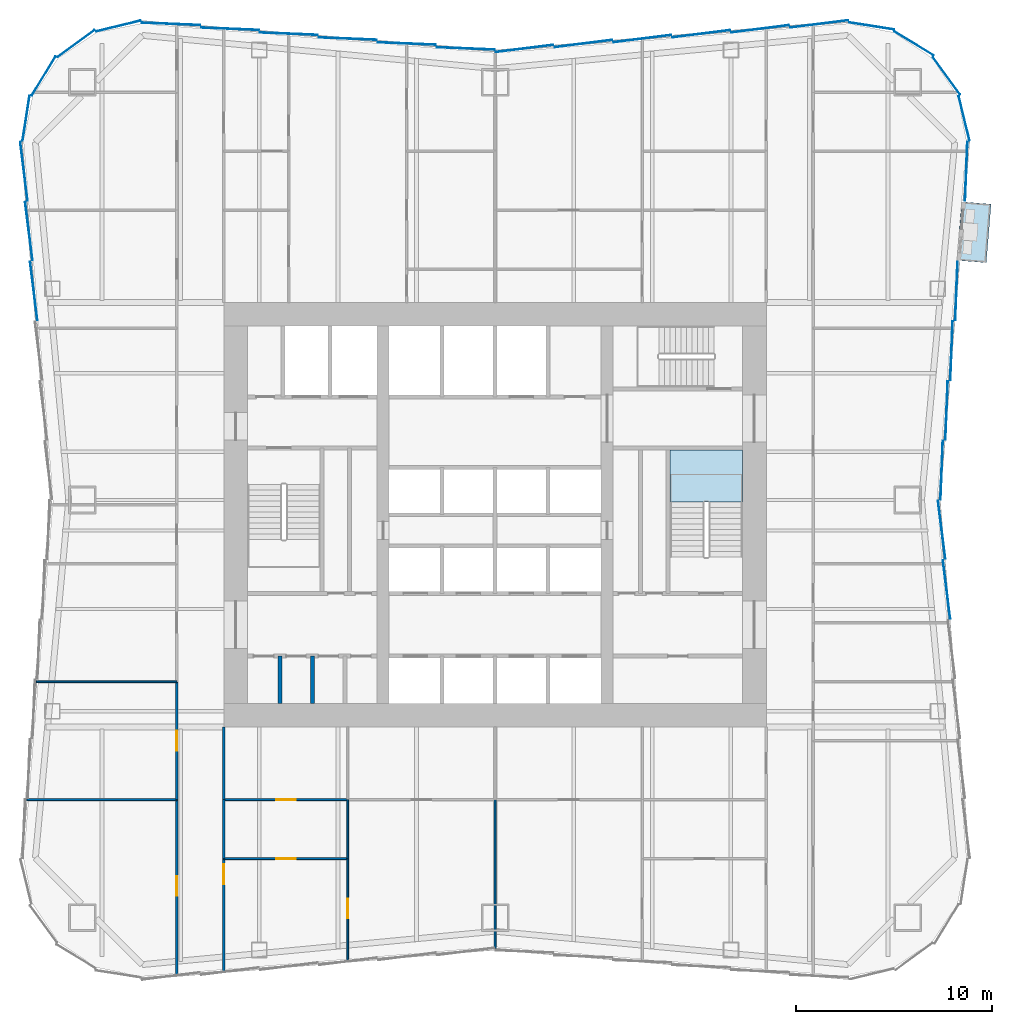
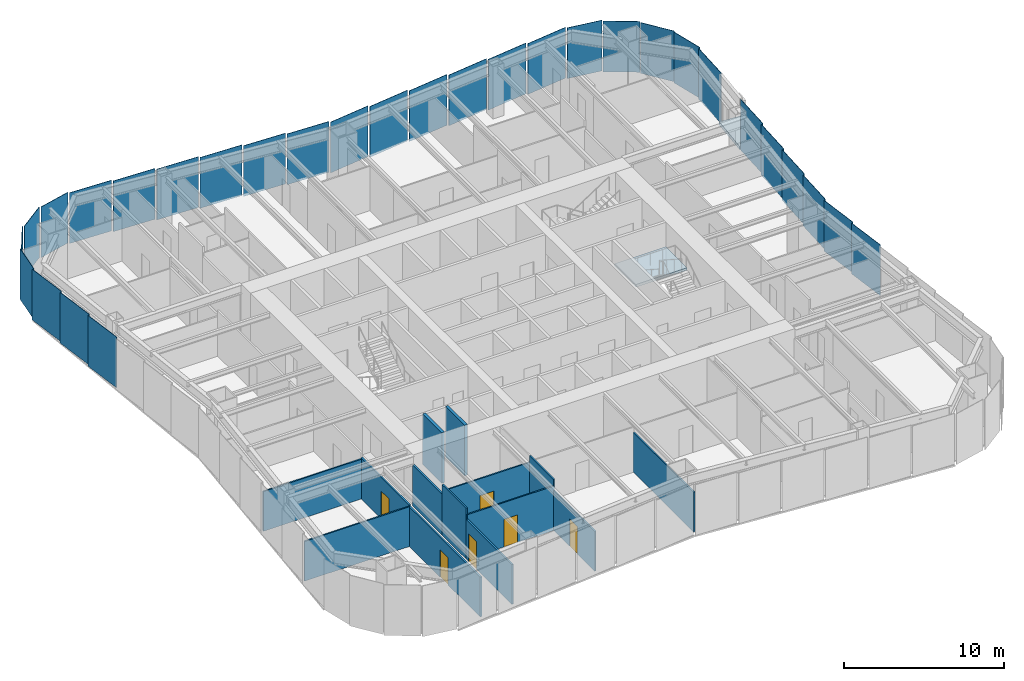
# One storey, part 3 of 9: 30 plates, 14 walls, 6 doors, 2 slabs, 6 openings, 6 elements without a shape of their own.
"""IFC4 building model written with IfcOpenShell, lengths in metres."""

from ifc_helpers import new_model, si_unit, direction, frame, frame_2d, origin, origin_2d, place, context, subcontext, project, spatial, polyline, rectangle, outline, extrude, material, layer, layer_set, type_object, element, fill, aggregate, save


model = new_model("IFC4")

# Units and contexts
model_context = context("Model", 3, precision=1e-05, world=origin(), true_north=direction((0.0, 1.0)))
body_context = subcontext(model_context, "Body", "Model", "MODEL_VIEW")
ifc_project = project(units=[si_unit("LENGTHUNIT", "METRE"), si_unit("AREAUNIT", "SQUARE_METRE"), si_unit("VOLUMEUNIT", "CUBIC_METRE"), si_unit("PLANEANGLEUNIT", "RADIAN"), si_unit("MASSUNIT", "GRAM", prefix="KILO")], contexts=[model_context])

# Site, building, storey
site_placement = place(None, origin())
site = spatial("IfcSite", under=ifc_project, at=site_placement, CompositionType="ELEMENT")
building_placement = place(site_placement, origin())
building = spatial("IfcBuilding", under=site, at=building_placement, Name="Verdant Reach Tower", CompositionType="ELEMENT")
storey_placement = place(building_placement, frame((0.0, 0.0, 74.0)))
storey = spatial("IfcBuildingStorey", under=building, at=storey_placement, Name="L16", CompositionType="ELEMENT", Elevation=74.0)

# Stair, slab
ifc_material_1 = material(Name="Concrete C40/50", Category="concrete")
stair_type = type_object("IfcStairType", Name="CO-STAIR", PredefinedType="HALF_TURN_STAIR", material=ifc_material_1)
stair_placement = place(storey_placement, origin())
stair = element("IfcStair", 1, at=stair_placement, inside=storey, type_object=stair_type, Name="L16 Exit stair 2", PredefinedType="HALF_TURN_STAIR")
ifc_layer_1 = layer(ifc_material_1, 0.199951171875)
ifc_layer_set_1 = layer_set([ifc_layer_1], Name="CO-STAIR-LANDING")
slab_type_1 = type_object("IfcSlabType", Name="CO-STAIR-LANDING", PredefinedType="LANDING", material=ifc_layer_set_1)
slab_1_placement = place(storey_placement, frame((0.0, 0.0, 1.800048828125)))
slab_1 = element("IfcSlab", 2, at=slab_1_placement, type_object=slab_type_1, Name="ST-2 landing 1", PredefinedType="LANDING", context=body_context, shape_type="SweptSolid", body=[
    extrude(outline(polyline([(12.60009765625, 28.64990234375), (12.60009765625, 31.300048828125), (8.89990234375, 31.300048828125), (8.89990234375, 28.64990234375), (12.60009765625, 28.64990234375)])), origin(), (0.0, 0.0, 1.0), 0.199951171875),
])
aggregate(stair, [slab_1])

# Slab
ifc_material_2 = material(Name="Concrete C35/45", Category="concrete")
ifc_layer_2 = layer(ifc_material_2, 0.25)
ifc_layer_set_2 = layer_set([ifc_layer_2], Name="EN-BALCONY SLAB")
slab_type_2 = type_object("IfcSlabType", Name="EN-BALCONY SLAB", PredefinedType="FLOOR", material=ifc_layer_set_2)
slab_2_placement = place(storey_placement, frame((0.0, 0.0, -0.25)))
element("IfcSlab", 3, at=slab_2_placement, inside=storey, type_object=slab_type_2, Name="Balcony slab 1, L16", PredefinedType="FLOOR", context=body_context, shape_type="SweptSolid", body=[
    extrude(outline(polyline([(23.50244140625, 40.947509765625), (23.74755859375, 43.927490234375), (25.242431640625, 43.804443359375), (24.99755859375, 40.82470703125), (23.50244140625, 40.947509765625)])), origin(), (0.0, 0.0, 1.0), 0.25),
])

# Curtain wall, plates
ifc_material_3 = material(Name="Anodised aluminium", Category="aluminium")
curtain_wall_type = type_object("IfcCurtainWallType", Name="EN-CW SYSTEM Z1", PredefinedType="NOTDEFINED", material=ifc_material_3)
curtain_wall_1_placement = place(storey_placement, origin())
curtain_wall_1 = element("IfcCurtainWall", 4, at=curtain_wall_1_placement, inside=storey, type_object=curtain_wall_type, Name="Curtain wall east, L16", PredefinedType="NOTDEFINED")
ifc_material_4 = material(Name="Tinted glass with champagne spandrel", Category="glass")
ifc_layer_3 = layer(ifc_material_4, 0.031982421875)
ifc_layer_set_3 = layer_set([ifc_layer_3], Name="EN-PANEL CHAMPAGNE")
plate_type_1 = type_object("IfcPlateType", Name="EN-PANEL CHAMPAGNE", PredefinedType="CURTAIN_PANEL", material=ifc_layer_set_3)
plate_1_placement = place(storey_placement, frame((22.727783203125, 27.2333984375, -0.22802734375), z_axis=(0.0, 0.0, 1.0), x_axis=(-0.123691487663, 0.992320722287, 0.0)))
plate_1 = element("IfcPlate", 5, at=plate_1_placement, type_object=plate_type_1, Name="Glass panel east face part 1 6.1, L16", PredefinedType="CURTAIN_PANEL", context=body_context, shape_type="SweptSolid", body=[
    extrude(rectangle(XDim=2.985595703125, YDim=0.031982421875, at=origin_2d()), origin(), (0.0, 0.0, 1.0), 3.8779296875),
])
plate_2_placement = place(storey_placement, frame((22.727783203125, 30.2666015625, -0.22802734375), z_axis=(0.0, 0.0, 1.0), x_axis=(0.040222426271, 0.99919075077, 0.0)))
plate_2 = element("IfcPlate", 6, at=plate_2_placement, type_object=plate_type_1, Name="Glass panel east face part 2 1.1, L16", PredefinedType="CURTAIN_PANEL", context=body_context, shape_type="SweptSolid", body=[
    extrude(rectangle(XDim=2.985595703125, YDim=0.031982421875, at=origin_2d()), origin(), (0.0, 0.0, 1.0), 3.8779296875),
])

curtain_wall_2_placement = place(storey_placement, origin())
curtain_wall_2 = element("IfcCurtainWall", 7, at=curtain_wall_2_placement, inside=storey, type_object=curtain_wall_type, Name="Curtain wall north, L16", PredefinedType="NOTDEFINED")
plate_3_placement = place(storey_placement, frame((7.491455078125, 52.2275390625, -0.22802734375), z_axis=(0.0, 0.0, 1.0), x_axis=(-0.992194034542, -0.124703639961, 0.0)))
plate_3 = element("IfcPlate", 8, at=plate_3_placement, type_object=plate_type_1, Name="Glass panel north face part 1 4.1, L16", PredefinedType="CURTAIN_PANEL", context=body_context, shape_type="SweptSolid", body=[
    extrude(rectangle(XDim=2.952392578125, YDim=0.031982421875, at=origin_2d()), origin(), (0.0, 0.0, 1.0), 3.8779296875),
])
plate_4_placement = place(storey_placement, frame((4.491455078125, 51.9775390625, -0.22802734375), z_axis=(0.0, 0.0, 1.0), x_axis=(-0.992194034542, -0.124703639961, 0.0)))
plate_4 = element("IfcPlate", 9, at=plate_4_placement, type_object=plate_type_1, Name="Glass panel north face part 1 5.1, L16", PredefinedType="CURTAIN_PANEL", context=body_context, shape_type="SweptSolid", body=[
    extrude(rectangle(XDim=2.952392578125, YDim=0.031982421875, at=origin_2d()), origin(), (0.0, 0.0, 1.0), 3.8779296875),
])
plate_5_placement = place(storey_placement, frame((-13.491455078125, 52.7275390625, -0.22802734375), z_axis=(0.0, 0.0, 1.0), x_axis=(-0.999149202059, 0.041241629766, 0.0)))
plate_5 = element("IfcPlate", 10, at=plate_5_placement, type_object=plate_type_1, Name="Glass panel north face part 2 5.1, L16", PredefinedType="CURTAIN_PANEL", context=body_context, shape_type="SweptSolid", body=[
    extrude(rectangle(XDim=2.952392578125, YDim=0.031982421875, at=origin_2d()), origin(), (0.0, 0.0, 1.0), 3.8779296875),
])
plate_6_placement = place(storey_placement, frame((-16.49853515625, 52.977783203125, -0.22802734375), z_axis=(0.0, 0.0, 1.0), x_axis=(-0.999162836679, 0.040909971885, 0.0)))
plate_6 = element("IfcPlate", 11, at=plate_6_placement, type_object=plate_type_1, Name="Glass panel north face part 2 6.1, L16", PredefinedType="CURTAIN_PANEL", context=body_context, shape_type="SweptSolid", body=[
    extrude(rectangle(XDim=2.966796875, YDim=0.031982421875, at=origin_2d()), origin(), (0.0, 0.0, 1.0), 3.8779296875),
])

# Curtain wall, plate
curtain_wall_3_placement = place(storey_placement, origin())
curtain_wall_3 = element("IfcCurtainWall", 12, at=curtain_wall_3_placement, inside=storey, type_object=curtain_wall_type, Name="Curtain wall north-west corner, L16", PredefinedType="NOTDEFINED")
plate_7_placement = place(storey_placement, frame((-23.87060546875, 48.170654296875, -0.22802734375), z_axis=(0.0, 0.0, 1.0), x_axis=(-0.154247912016, -0.988032176419, 0.0)))
plate_7 = element("IfcPlate", 13, at=plate_7_placement, type_object=plate_type_1, Name="Glass panel north-west corner 4.1, L16", PredefinedType="CURTAIN_PANEL", context=body_context, shape_type="SweptSolid", body=[
    extrude(rectangle(XDim=2.3173828125, YDim=0.031982421875, at=origin_2d()), origin(), (0.0, 0.0, 1.0), 3.8779296875),
])

# Curtain wall, plates
curtain_wall_4_placement = place(storey_placement, origin())
curtain_wall_4 = element("IfcCurtainWall", 14, at=curtain_wall_4_placement, inside=storey, type_object=curtain_wall_type, Name="Curtain wall west, L16", PredefinedType="NOTDEFINED")
plate_8_placement = place(storey_placement, frame((-23.7275390625, 42.428955078125, -0.22802734375), z_axis=(0.0, 0.0, 1.0), x_axis=(0.123578623975, -0.992334784081, 0.0)))
plate_8 = element("IfcPlate", 15, at=plate_8_placement, type_object=plate_type_1, Name="Glass panel west face part 1 2.1, L16", PredefinedType="CURTAIN_PANEL", context=body_context, shape_type="SweptSolid", body=[
    extrude(rectangle(XDim=2.993896484375, YDim=0.031982421875, at=origin_2d()), origin(), (0.0, 0.0, 1.0), 3.8779296875),
])
plate_9_placement = place(storey_placement, frame((-23.4775390625, 39.387451171875, -0.22802734375), z_axis=(0.0, 0.0, 1.0), x_axis=(0.123578623975, -0.992334784081, 0.0)))
plate_9 = element("IfcPlate", 16, at=plate_9_placement, type_object=plate_type_1, Name="Glass panel west face part 1 3.1, L16", PredefinedType="CURTAIN_PANEL", context=body_context, shape_type="SweptSolid", body=[
    extrude(rectangle(XDim=2.993896484375, YDim=0.031982421875, at=origin_2d()), origin(), (0.0, 0.0, 1.0), 3.8779296875),
])

# Plate
ifc_material_5 = material(Name="Tinted glass with copper spandrel", Category="glass")
ifc_layer_4 = layer(ifc_material_5, 0.031982421875)
ifc_layer_set_4 = layer_set([ifc_layer_4], Name="EN-PANEL COPPER")
plate_type_2 = type_object("IfcPlateType", Name="EN-PANEL COPPER", PredefinedType="CURTAIN_PANEL", material=ifc_layer_set_4)
plate_10_placement = place(storey_placement, frame((22.9775390625, 33.303955078125, -0.22802734375), z_axis=(0.0, 0.0, 1.0), x_axis=(0.040108781752, 0.999195319057, 0.0)))
plate_10 = element("IfcPlate", 17, at=plate_10_placement, type_object=plate_type_2, Name="Glass panel east face part 2 2.1, L16", PredefinedType="CURTAIN_PANEL", context=body_context, shape_type="SweptSolid", body=[
    extrude(rectangle(XDim=2.993896484375, YDim=0.031982421875, at=origin_2d()), origin(), (0.0, 0.0, 1.0), 3.8779296875),
])

plate_11_placement = place(storey_placement, frame((23.2275390625, 36.345703125, -0.22802734375), z_axis=(0.0, 0.0, 1.0), x_axis=(0.040108781752, 0.999195319057, 0.0)))
plate_11 = element("IfcPlate", 18, at=plate_11_placement, type_object=plate_type_2, Name="Glass panel east face part 2 3.1, L16", PredefinedType="CURTAIN_PANEL", context=body_context, shape_type="SweptSolid", body=[
    extrude(rectangle(XDim=2.993896484375, YDim=0.031982421875, at=origin_2d()), origin(), (0.0, 0.0, 1.0), 3.8779296875),
])

plate_12_placement = place(storey_placement, frame((23.4775390625, 39.387451171875, -0.22802734375), z_axis=(0.0, 0.0, 1.0), x_axis=(0.040108781752, 0.999195319057, 0.0)))
plate_12 = element("IfcPlate", 19, at=plate_12_placement, type_object=plate_type_2, Name="Glass panel east face part 2 4.1, L16", PredefinedType="CURTAIN_PANEL", context=body_context, shape_type="SweptSolid", body=[
    extrude(rectangle(XDim=2.993896484375, YDim=0.031982421875, at=origin_2d()), origin(), (0.0, 0.0, 1.0), 3.8779296875),
])

# Curtain wall, plates
curtain_wall_5_placement = place(storey_placement, origin())
curtain_wall_5 = element("IfcCurtainWall", 20, at=curtain_wall_5_placement, inside=storey, type_object=curtain_wall_type, Name="Curtain wall north-east corner, L16", PredefinedType="NOTDEFINED")
plate_13_placement = place(storey_placement, frame((23.87060546875, 48.170654296875, -0.22802734375), z_axis=(0.0, 0.0, 1.0), x_axis=(-0.236383344544, 0.971659875894, 0.0)))
plate_13 = element("IfcPlate", 21, at=plate_13_placement, type_object=plate_type_2, Name="Glass panel north-east corner 1.1, L16", PredefinedType="CURTAIN_PANEL", context=body_context, shape_type="SweptSolid", body=[
    extrude(rectangle(XDim=2.3173828125, YDim=0.031982421875, at=origin_2d()), origin(), (0.0, 0.0, 1.0), 3.8779296875),
])
plate_14_placement = place(storey_placement, frame((22.97705078125, 50.325439453125, -0.22802734375), z_axis=(0.0, 0.0, 1.0), x_axis=(-0.589926768145, 0.807456753161, 0.0)))
plate_14 = element("IfcPlate", 22, at=plate_14_placement, type_object=plate_type_2, Name="Glass panel north-east corner 2.1, L16", PredefinedType="CURTAIN_PANEL", context=body_context, shape_type="SweptSolid", body=[
    extrude(rectangle(XDim=2.3232421875, YDim=0.031982421875, at=origin_2d()), origin(), (0.0, 0.0, 1.0), 3.8779296875),
])

# Plate
plate_15_placement = place(storey_placement, frame((1.49560546875, 51.727783203125, -0.22802734375), z_axis=(0.0, 0.0, 1.0), x_axis=(-0.992179247355, -0.124821236644, 0.0)))
plate_15 = element("IfcPlate", 23, at=plate_15_placement, type_object=plate_type_2, Name="Glass panel north face part 1 6.1, L16", PredefinedType="CURTAIN_PANEL", context=body_context, shape_type="SweptSolid", body=[
    extrude(rectangle(XDim=2.94384765625, YDim=0.031982421875, at=origin_2d()), origin(), (0.0, 0.0, 1.0), 3.8779296875),
])

plate_16_placement = place(storey_placement, frame((-1.49560546875, 51.727783203125, -0.22802734375), z_axis=(0.0, 0.0, 1.0), x_axis=(-0.99914430697, 0.041360051381, 0.0)))
plate_16 = element("IfcPlate", 24, at=plate_16_placement, type_object=plate_type_2, Name="Glass panel north face part 2 1.1, L16", PredefinedType="CURTAIN_PANEL", context=body_context, shape_type="SweptSolid", body=[
    extrude(rectangle(XDim=2.94384765625, YDim=0.031982421875, at=origin_2d()), origin(), (0.0, 0.0, 1.0), 3.8779296875),
])

plate_17_placement = place(storey_placement, frame((-4.491455078125, 51.9775390625, -0.22802734375), z_axis=(0.0, 0.0, 1.0), x_axis=(-0.999149202059, 0.041241629766, 0.0)))
plate_17 = element("IfcPlate", 25, at=plate_17_placement, type_object=plate_type_2, Name="Glass panel north face part 2 2.1, L16", PredefinedType="CURTAIN_PANEL", context=body_context, shape_type="SweptSolid", body=[
    extrude(rectangle(XDim=2.952392578125, YDim=0.031982421875, at=origin_2d()), origin(), (0.0, 0.0, 1.0), 3.8779296875),
])

ifc_material_6 = material(Name="Tinted glass with dark bronze spandrel", Category="glass")
ifc_layer_5 = layer(ifc_material_6, 0.031982421875)
ifc_layer_set_5 = layer_set([ifc_layer_5], Name="EN-PANEL DARK")
plate_type_3 = type_object("IfcPlateType", Name="EN-PANEL DARK", PredefinedType="CURTAIN_PANEL", material=ifc_layer_set_5)
plate_18_placement = place(storey_placement, frame((22.9775390625, 24.196044921875, -0.22802734375), z_axis=(0.0, 0.0, 1.0), x_axis=(-0.123578623975, 0.992334784081, 0.0)))
plate_18 = element("IfcPlate", 26, at=plate_18_placement, type_object=plate_type_3, Name="Glass panel east face part 1 5.1, L16", PredefinedType="CURTAIN_PANEL", context=body_context, shape_type="SweptSolid", body=[
    extrude(rectangle(XDim=2.993896484375, YDim=0.031982421875, at=origin_2d()), origin(), (0.0, 0.0, 1.0), 3.8779296875),
])

plate_19_placement = place(storey_placement, frame((23.977783203125, 45.477783203125, -0.22802734375), z_axis=(0.0, 0.0, 1.0), x_axis=(0.039784239139, 0.999208293759, 0.0)))
plate_19 = element("IfcPlate", 27, at=plate_19_placement, type_object=plate_type_3, Name="Glass panel east face part 2 6.1, L16", PredefinedType="CURTAIN_PANEL", context=body_context, shape_type="SweptSolid", body=[
    extrude(rectangle(XDim=3.00830078125, YDim=0.031982421875, at=origin_2d()), origin(), (0.0, 0.0, 1.0), 3.8779296875),
])

aggregate(curtain_wall_1, [plate_18, plate_1, plate_2, plate_10, plate_11, plate_12, plate_19])

plate_20_placement = place(storey_placement, frame((21.325439453125, 51.97705078125, -0.22802734375), z_axis=(0.0, 0.0, 1.0), x_axis=(-0.85398868836, 0.520291572248, 0.0)))
plate_20 = element("IfcPlate", 28, at=plate_20_placement, type_object=plate_type_3, Name="Glass panel north-east corner 3.1, L16", PredefinedType="CURTAIN_PANEL", context=body_context, shape_type="SweptSolid", body=[
    extrude(rectangle(XDim=2.3232421875, YDim=0.031982421875, at=origin_2d()), origin(), (0.0, 0.0, 1.0), 3.8779296875),
])

plate_21_placement = place(storey_placement, frame((19.170654296875, 52.87060546875, -0.22802734375), z_axis=(0.0, 0.0, 1.0), x_axis=(-0.988032704995, 0.154244526195, 0.0)))
plate_21 = element("IfcPlate", 29, at=plate_21_placement, type_object=plate_type_3, Name="Glass panel north-east corner 4.1, L16", PredefinedType="CURTAIN_PANEL", context=body_context, shape_type="SweptSolid", body=[
    extrude(rectangle(XDim=2.317626953125, YDim=0.031982421875, at=origin_2d()), origin(), (0.0, 0.0, 1.0), 3.8779296875),
])

aggregate(curtain_wall_5, [plate_13, plate_14, plate_20, plate_21])

plate_22_placement = place(storey_placement, frame((16.49853515625, 52.977783203125, -0.22802734375), z_axis=(0.0, 0.0, 1.0), x_axis=(-0.99223537376, -0.124374286167, 0.0)))
plate_22 = element("IfcPlate", 30, at=plate_22_placement, type_object=plate_type_3, Name="Glass panel north face part 1 1.1, L16", PredefinedType="CURTAIN_PANEL", context=body_context, shape_type="SweptSolid", body=[
    extrude(rectangle(XDim=2.966796875, YDim=0.031982421875, at=origin_2d()), origin(), (0.0, 0.0, 1.0), 3.8779296875),
])

plate_23_placement = place(storey_placement, frame((13.491455078125, 52.7275390625, -0.22802734375), z_axis=(0.0, 0.0, 1.0), x_axis=(-0.992194034542, -0.124703639961, 0.0)))
plate_23 = element("IfcPlate", 31, at=plate_23_placement, type_object=plate_type_3, Name="Glass panel north face part 1 2.1, L16", PredefinedType="CURTAIN_PANEL", context=body_context, shape_type="SweptSolid", body=[
    extrude(rectangle(XDim=2.952392578125, YDim=0.031982421875, at=origin_2d()), origin(), (0.0, 0.0, 1.0), 3.8779296875),
])

plate_24_placement = place(storey_placement, frame((10.491455078125, 52.4775390625, -0.22802734375), z_axis=(0.0, 0.0, 1.0), x_axis=(-0.992194034542, -0.124703639961, 0.0)))
plate_24 = element("IfcPlate", 32, at=plate_24_placement, type_object=plate_type_3, Name="Glass panel north face part 1 3.1, L16", PredefinedType="CURTAIN_PANEL", context=body_context, shape_type="SweptSolid", body=[
    extrude(rectangle(XDim=2.952392578125, YDim=0.031982421875, at=origin_2d()), origin(), (0.0, 0.0, 1.0), 3.8779296875),
])

plate_25_placement = place(storey_placement, frame((-7.491455078125, 52.2275390625, -0.22802734375), z_axis=(0.0, 0.0, 1.0), x_axis=(-0.999149202059, 0.041241629766, 0.0)))
plate_25 = element("IfcPlate", 33, at=plate_25_placement, type_object=plate_type_3, Name="Glass panel north face part 2 3.1, L16", PredefinedType="CURTAIN_PANEL", context=body_context, shape_type="SweptSolid", body=[
    extrude(rectangle(XDim=2.952392578125, YDim=0.031982421875, at=origin_2d()), origin(), (0.0, 0.0, 1.0), 3.8779296875),
])

plate_26_placement = place(storey_placement, frame((-10.491455078125, 52.4775390625, -0.22802734375), z_axis=(0.0, 0.0, 1.0), x_axis=(-0.999149202059, 0.041241629766, 0.0)))
plate_26 = element("IfcPlate", 34, at=plate_26_placement, type_object=plate_type_3, Name="Glass panel north face part 2 4.1, L16", PredefinedType="CURTAIN_PANEL", context=body_context, shape_type="SweptSolid", body=[
    extrude(rectangle(XDim=2.952392578125, YDim=0.031982421875, at=origin_2d()), origin(), (0.0, 0.0, 1.0), 3.8779296875),
])

aggregate(curtain_wall_2, [plate_22, plate_23, plate_24, plate_3, plate_4, plate_15, plate_16, plate_17, plate_25, plate_26, plate_5, plate_6])

plate_27_placement = place(storey_placement, frame((-19.170654296875, 52.87060546875, -0.22802734375), z_axis=(0.0, 0.0, 1.0), x_axis=(-0.971660685934, -0.236380014828, 0.0)))
plate_27 = element("IfcPlate", 35, at=plate_27_placement, type_object=plate_type_3, Name="Glass panel north-west corner 1.1, L16", PredefinedType="CURTAIN_PANEL", context=body_context, shape_type="SweptSolid", body=[
    extrude(rectangle(XDim=2.317626953125, YDim=0.031982421875, at=origin_2d()), origin(), (0.0, 0.0, 1.0), 3.8779296875),
])

plate_28_placement = place(storey_placement, frame((-21.325439453125, 51.97705078125, -0.22802734375), z_axis=(0.0, 0.0, 1.0), x_axis=(-0.807456753161, -0.589926768145, 0.0)))
plate_28 = element("IfcPlate", 36, at=plate_28_placement, type_object=plate_type_3, Name="Glass panel north-west corner 2.1, L16", PredefinedType="CURTAIN_PANEL", context=body_context, shape_type="SweptSolid", body=[
    extrude(rectangle(XDim=2.3232421875, YDim=0.031982421875, at=origin_2d()), origin(), (0.0, 0.0, 1.0), 3.8779296875),
])

plate_29_placement = place(storey_placement, frame((-22.97705078125, 50.325439453125, -0.22802734375), z_axis=(0.0, 0.0, 1.0), x_axis=(-0.520291572248, -0.85398868836, 0.0)))
plate_29 = element("IfcPlate", 37, at=plate_29_placement, type_object=plate_type_3, Name="Glass panel north-west corner 3.1, L16", PredefinedType="CURTAIN_PANEL", context=body_context, shape_type="SweptSolid", body=[
    extrude(rectangle(XDim=2.3232421875, YDim=0.031982421875, at=origin_2d()), origin(), (0.0, 0.0, 1.0), 3.8779296875),
])

aggregate(curtain_wall_3, [plate_27, plate_28, plate_29, plate_7])

plate_30_placement = place(storey_placement, frame((-23.977783203125, 45.477783203125, -0.22802734375), z_axis=(0.0, 0.0, 1.0), x_axis=(0.123256305275, -0.992374870304, 0.0)))
plate_30 = element("IfcPlate", 38, at=plate_30_placement, type_object=plate_type_3, Name="Glass panel west face part 1 1.1, L16", PredefinedType="CURTAIN_PANEL", context=body_context, shape_type="SweptSolid", body=[
    extrude(rectangle(XDim=3.00830078125, YDim=0.031982421875, at=origin_2d()), origin(), (0.0, 0.0, 1.0), 3.8779296875),
])

aggregate(curtain_wall_4, [plate_30, plate_8, plate_9])

# Walls
ifc_material_7 = material(Name="Gypsum board on steel studs", Category="steel")
ifc_layer_6 = layer(ifc_material_7, 0.199951171875)
ifc_layer_set_6 = layer_set([ifc_layer_6], Name="CO-WALL-ROOM")
wall_type_1 = type_object("IfcWallType", Name="CO-WALL-ROOM", PredefinedType="PARTITIONING", material=ifc_layer_set_6)
for number, where, z_axis, x_axis, name in (
    (39, (-10.949951171875, 18.39990234375, 0.0), (0.0, 0.0, 1.0), (0.0, 1.0, 0.0), "Core partition, L16"),
    (40, (-9.300048828125, 18.39990234375, 0.0), (0.0, 0.0, 1.0), (0.0, 1.0, 0.0), "Core partition, L16"),
):
    element("IfcWall", number, at=place(storey_placement, frame(where, z_axis=z_axis, x_axis=x_axis)), inside=storey, type_object=wall_type_1, Name=name, PredefinedType="PARTITIONING", context=body_context, shape_type="SweptSolid", body=[
        extrude(rectangle(XDim=2.400146484375, YDim=0.199951171875, at=frame_2d((1.2001953125, 0.0))), origin(), (0.0, 0.0, 1.0), 3.8701171875),
    ])
ifc_layer_7 = layer(ifc_material_7, 0.10009765625)
ifc_layer_set_7 = layer_set([ifc_layer_7], Name="FL-W1 Partition 100")
wall_type_2 = type_object("IfcWallType", Name="FL-W1 Partition 100", PredefinedType="PARTITIONING", material=ifc_layer_set_7)
wall_1_placement = place(storey_placement, frame((-16.199951171875, 13.5, 0.0), z_axis=(0.0, 0.0, 1.0), x_axis=(-1.0, 0.0, 0.0)))
element("IfcWall", 41, at=wall_1_placement, inside=storey, type_object=wall_type_2, Name="Partition 16.29", PredefinedType="PARTITIONING", context=body_context, shape_type="SweptSolid", body=[
    extrude(rectangle(XDim=7.633544921875, YDim=0.10009765625, at=frame_2d((3.81689453125, 0.0))), origin(), (0.0, 0.0, 1.0), 3.0400390625),
])
wall_2_placement = place(storey_placement, frame((-16.199951171875, 19.5, 0.0), z_axis=(0.0, 0.0, 1.0), x_axis=(-1.0, 0.0, 0.0)))
element("IfcWall", 42, at=wall_2_placement, inside=storey, type_object=wall_type_2, Name="Partition 16.30", PredefinedType="PARTITIONING", context=body_context, shape_type="SweptSolid", body=[
    extrude(rectangle(XDim=7.140380859375, YDim=0.10009765625, at=frame_2d((3.5703125, 0.0))), origin(), (0.0, 0.0, 1.0), 3.0400390625),
])

# Wall, opening, door
wall_3_placement = place(storey_placement, frame((-13.800048828125, 10.5, 0.0), z_axis=(0.0, 0.0, 1.0), x_axis=(1.0, 0.0, 0.0)))
wall_3 = element("IfcWall", 43, at=wall_3_placement, inside=storey, type_object=wall_type_2, Name="Partition 16.43", PredefinedType="PARTITIONING", context=body_context, shape_type="SweptSolid", body=[
    extrude(rectangle(XDim=6.300048828125, YDim=0.10009765625, at=frame_2d((3.14990234375, 0.0))), origin(), (0.0, 0.0, 1.0), 3.389892578125),
])
opening_1_placement = place(wall_3_placement, frame((2.64990234375, 0.0, 0.0)))
opening_1 = element("IfcOpeningElement", 44, at=opening_1_placement, cuts=wall_3, Name="Opening D3", PredefinedType="OPENING", context=body_context, shape_type="SweptSolid", body=[
    extrude(rectangle(XDim=1.0, YDim=2.10009765625, at=frame_2d((0.5, 1.050048828125))), frame((0.0, 0.06005859375, 0.0), z_axis=(0.0, -1.0, 0.0), x_axis=(1.0, 0.0, 0.0)), (0.0, 0.0, 1.0), 0.1201171875),
])
ifc_material_8 = material(Name="Painted timber door leaf", Category="wood")
door_type_1 = type_object("IfcDoorType", Name="FL-D3 Door 1000x2100", OperationType="NOTDEFINED", PredefinedType="DOOR", material=ifc_material_8)
door_1_placement = place(opening_1_placement, origin())
door_1 = element("IfcDoor", 45, at=door_1_placement, inside=storey, type_object=door_type_1, Name="Door 16-023", OperationType="SINGLE_SWING_LEFT", OverallHeight=2.10009765625, OverallWidth=1.0, PredefinedType="DOOR", context=body_context, shape_type="SweptSolid", body=[
    extrude(rectangle(XDim=1.0, YDim=2.10009765625, at=frame_2d((0.5, 1.050048828125))), frame((0.0, 0.02490234375, 0.0), z_axis=(0.0, -1.0, 0.0), x_axis=(1.0, 0.0, 0.0)), (0.0, 0.0, 1.0), 0.050048828125),
])
fill(opening_1, door_1)

wall_4_placement = place(storey_placement, frame((-7.5, 10.50390625, 0.0), z_axis=(0.0, 0.0, 1.0), x_axis=(0.0, -1.0, 0.0)))
wall_4 = element("IfcWall", 46, at=wall_4_placement, inside=storey, type_object=wall_type_2, Name="Partition 16.44", PredefinedType="PARTITIONING", context=body_context, shape_type="SweptSolid", body=[
    extrude(rectangle(XDim=5.208984375, YDim=0.10009765625, at=frame_2d((2.6044921875, 0.0))), origin(), (0.0, 0.0, 1.0), 3.0400390625),
])
opening_2_placement = place(wall_4_placement, frame((2.039306640625, 0.0, 0.0)))
opening_2 = element("IfcOpeningElement", 47, at=opening_2_placement, cuts=wall_4, Name="Opening D3", PredefinedType="OPENING", context=body_context, shape_type="SweptSolid", body=[
    extrude(rectangle(XDim=1.0, YDim=2.10009765625, at=frame_2d((0.5, 1.050048828125))), frame((0.0, 0.06005859375, 0.0), z_axis=(0.0, -1.0, 0.0), x_axis=(1.0, 0.0, 0.0)), (0.0, 0.0, 1.0), 0.1201171875),
])
door_2_placement = place(opening_2_placement, origin())
door_2 = element("IfcDoor", 48, at=door_2_placement, inside=storey, type_object=door_type_1, Name="Door 16-024", OperationType="SINGLE_SWING_LEFT", OverallHeight=2.10009765625, OverallWidth=1.0, PredefinedType="DOOR", context=body_context, shape_type="SweptSolid", body=[
    extrude(rectangle(XDim=1.0, YDim=2.10009765625, at=frame_2d((0.5, 1.050048828125))), frame((0.0, 0.02490234375, 0.0), z_axis=(0.0, -1.0, 0.0), x_axis=(1.0, 0.0, 0.0)), (0.0, 0.0, 1.0), 0.050048828125),
])
fill(opening_2, door_2)

wall_5_placement = place(storey_placement, frame((-13.800048828125, 13.5, 0.0), z_axis=(0.0, 0.0, 1.0), x_axis=(1.0, 0.0, 0.0)))
wall_5 = element("IfcWall", 49, at=wall_5_placement, inside=storey, type_object=wall_type_2, Name="Partition 16.45", PredefinedType="PARTITIONING", context=body_context, shape_type="SweptSolid", body=[
    extrude(rectangle(XDim=6.300048828125, YDim=0.10009765625, at=frame_2d((3.14990234375, 0.0))), origin(), (0.0, 0.0, 1.0), 3.389892578125),
])
opening_3_placement = place(wall_5_placement, frame((2.64990234375, 0.0, 0.0)))
opening_3 = element("IfcOpeningElement", 50, at=opening_3_placement, cuts=wall_5, Name="Opening D3", PredefinedType="OPENING", context=body_context, shape_type="SweptSolid", body=[
    extrude(rectangle(XDim=1.0, YDim=2.10009765625, at=frame_2d((0.5, 1.050048828125))), frame((0.0, 0.06005859375, 0.0), z_axis=(0.0, -1.0, 0.0), x_axis=(1.0, 0.0, 0.0)), (0.0, 0.0, 1.0), 0.1201171875),
])
door_3_placement = place(opening_3_placement, origin())
door_3 = element("IfcDoor", 51, at=door_3_placement, inside=storey, type_object=door_type_1, Name="Door 16-025", OperationType="SINGLE_SWING_LEFT", OverallHeight=2.10009765625, OverallWidth=1.0, PredefinedType="DOOR", context=body_context, shape_type="SweptSolid", body=[
    extrude(rectangle(XDim=1.0, YDim=2.10009765625, at=frame_2d((0.5, 1.050048828125))), frame((0.0, 0.02490234375, 0.0), z_axis=(0.0, -1.0, 0.0), x_axis=(1.0, 0.0, 0.0)), (0.0, 0.0, 1.0), 0.050048828125),
])
fill(opening_3, door_3)

# Walls
wall_6_placement = place(storey_placement, frame((-7.5, 10.49609375, 0.0), z_axis=(0.0, 0.0, 1.0), x_axis=(0.0, 1.0, 0.0)))
element("IfcWall", 52, at=wall_6_placement, inside=storey, type_object=wall_type_2, Name="Partition 16.46", PredefinedType="PARTITIONING", context=body_context, shape_type="SweptSolid", body=[
    extrude(rectangle(XDim=3.00390625, YDim=0.10009765625, at=frame_2d((1.501953125, 0.0))), origin(), (0.0, 0.0, 1.0), 3.8701171875),
])
wall_7_placement = place(storey_placement, frame((0.0, 5.919921875, 0.0), z_axis=(0.0, 0.0, 1.0), x_axis=(0.0, 1.0, 0.0)))
element("IfcWall", 53, at=wall_7_placement, inside=storey, type_object=wall_type_2, Name="Partition 16.49", PredefinedType="PARTITIONING", context=body_context, shape_type="SweptSolid", body=[
    extrude(rectangle(XDim=7.580078125, YDim=0.10009765625, at=frame_2d((3.7900390625, 0.0))), origin(), (0.0, 0.0, 1.0), 3.0400390625),
])

# Wall, opening, door
ifc_material_9 = material(Name="Gypsum board on steel studs, fire rated", Category="steel")
ifc_layer_8 = layer(ifc_material_9, 0.125)
ifc_layer_set_8 = layer_set([ifc_layer_8], Name="FL-W2 Corridor wall 125")
wall_type_3 = type_object("IfcWallType", Name="FL-W2 Corridor wall 125", PredefinedType="PARTITIONING", material=ifc_layer_set_8)
wall_8_placement = place(storey_placement, frame((-16.199951171875, 4.570068359375, 0.0), z_axis=(0.0, 0.0, 1.0), x_axis=(0.0, 1.0, 0.0)))
wall_8 = element("IfcWall", 54, at=wall_8_placement, inside=storey, type_object=wall_type_3, Name="Partition 16.01", PredefinedType="PARTITIONING", context=body_context, shape_type="SweptSolid", body=[
    extrude(rectangle(XDim=8.929931640625, YDim=0.125, at=frame_2d((4.46484375, 0.0))), origin(), (0.0, 0.0, 1.0), 3.0400390625),
])
opening_4_placement = place(wall_8_placement, frame((4.030029296875, 0.0, 0.0)))
opening_4 = element("IfcOpeningElement", 55, at=opening_4_placement, cuts=wall_8, Name="Opening D2", PredefinedType="OPENING", context=body_context, shape_type="SweptSolid", body=[
    extrude(rectangle(XDim=1.0, YDim=2.10009765625, at=frame_2d((0.5, 1.050048828125))), frame((0.0, 0.072509765625, 0.0), z_axis=(0.0, -1.0, 0.0), x_axis=(1.0, 0.0, 0.0)), (0.0, 0.0, 1.0), 0.14501953125),
])
ifc_material_10 = material(Name="Timber door leaf, fire rated", Category="wood")
door_type_2 = type_object("IfcDoorType", Name="FL-D2 Entrance door 1000x2100 FD30", OperationType="NOTDEFINED", PredefinedType="DOOR", material=ifc_material_10)
door_4_placement = place(opening_4_placement, origin())
door_4 = element("IfcDoor", 56, at=door_4_placement, inside=storey, type_object=door_type_2, Name="Door 16-001", OperationType="SINGLE_SWING_RIGHT", OverallHeight=2.10009765625, OverallWidth=1.0, PredefinedType="DOOR", context=body_context, shape_type="SweptSolid", body=[
    extrude(rectangle(XDim=1.0, YDim=2.10009765625, at=frame_2d((0.5, 1.050048828125))), frame((0.0, 0.02490234375, 0.0), z_axis=(0.0, -1.0, 0.0), x_axis=(1.0, 0.0, 0.0)), (0.0, 0.0, 1.0), 0.050048828125),
])
fill(opening_4, door_4)

wall_9_placement = place(storey_placement, frame((-16.199951171875, 13.5, 0.0), z_axis=(0.0, 0.0, 1.0), x_axis=(0.0, 1.0, 0.0)))
wall_9 = element("IfcWall", 57, at=wall_9_placement, inside=storey, type_object=wall_type_3, Name="Partition 16.02", PredefinedType="PARTITIONING", context=body_context, shape_type="SweptSolid", body=[
    extrude(rectangle(XDim=6.0, YDim=0.125, at=frame_2d((3.0, 0.0))), origin(), (0.0, 0.0, 1.0), 3.139892578125),
])
opening_5_placement = place(wall_9_placement, frame((2.5, 0.0, 0.0)))
opening_5 = element("IfcOpeningElement", 58, at=opening_5_placement, cuts=wall_9, Name="Opening D2", PredefinedType="OPENING", context=body_context, shape_type="SweptSolid", body=[
    extrude(rectangle(XDim=1.0, YDim=2.10009765625, at=frame_2d((0.5, 1.050048828125))), frame((0.0, 0.072509765625, 0.0), z_axis=(0.0, -1.0, 0.0), x_axis=(1.0, 0.0, 0.0)), (0.0, 0.0, 1.0), 0.14501953125),
])
door_5_placement = place(opening_5_placement, origin())
door_5 = element("IfcDoor", 59, at=door_5_placement, inside=storey, type_object=door_type_2, Name="Door 16-002", OperationType="SINGLE_SWING_RIGHT", OverallHeight=2.10009765625, OverallWidth=1.0, PredefinedType="DOOR", context=body_context, shape_type="SweptSolid", body=[
    extrude(rectangle(XDim=1.0, YDim=2.10009765625, at=frame_2d((0.5, 1.050048828125))), frame((0.0, 0.02490234375, 0.0), z_axis=(0.0, -1.0, 0.0), x_axis=(1.0, 0.0, 0.0)), (0.0, 0.0, 1.0), 0.050048828125),
])
fill(opening_5, door_5)

wall_10_placement = place(storey_placement, frame((-13.800048828125, 10.5, 0.0), z_axis=(0.0, 0.0, 1.0), x_axis=(0.0, -1.0, 0.0)))
wall_10 = element("IfcWall", 60, at=wall_10_placement, inside=storey, type_object=wall_type_3, Name="Partition 16.09", PredefinedType="PARTITIONING", context=body_context, shape_type="SweptSolid", body=[
    extrude(rectangle(XDim=5.72998046875, YDim=0.125, at=frame_2d((2.864990234375, 0.0))), origin(), (0.0, 0.0, 1.0), 3.0400390625),
])
opening_6_placement = place(wall_10_placement, frame((0.2998046875, 0.0, 0.0)))
opening_6 = element("IfcOpeningElement", 61, at=opening_6_placement, cuts=wall_10, Name="Opening D2", PredefinedType="OPENING", context=body_context, shape_type="SweptSolid", body=[
    extrude(rectangle(XDim=1.0, YDim=2.10009765625, at=frame_2d((0.5, 1.050048828125))), frame((0.0, 0.072509765625, 0.0), z_axis=(0.0, -1.0, 0.0), x_axis=(1.0, 0.0, 0.0)), (0.0, 0.0, 1.0), 0.14501953125),
])
door_6_placement = place(opening_6_placement, origin())
door_6 = element("IfcDoor", 62, at=door_6_placement, inside=storey, type_object=door_type_2, Name="Door 16-009", OperationType="SINGLE_SWING_LEFT", OverallHeight=2.10009765625, OverallWidth=1.0, PredefinedType="DOOR", context=body_context, shape_type="SweptSolid", body=[
    extrude(rectangle(XDim=1.0, YDim=2.10009765625, at=frame_2d((0.5, 1.050048828125))), frame((0.0, 0.02490234375, 0.0), z_axis=(0.0, -1.0, 0.0), x_axis=(1.0, 0.0, 0.0)), (0.0, 0.0, 1.0), 0.050048828125),
])
fill(opening_6, door_6)

# Walls
wall_11_placement = place(storey_placement, frame((-13.800048828125, 10.5, 0.0), z_axis=(0.0, 0.0, 1.0), x_axis=(0.0, 1.0, 0.0)))
element("IfcWall", 63, at=wall_11_placement, inside=storey, type_object=wall_type_3, Name="Partition 16.10", PredefinedType="PARTITIONING", context=body_context, shape_type="SweptSolid", body=[
    extrude(rectangle(XDim=3.0, YDim=0.125, at=frame_2d((1.5, 0.0))), origin(), (0.0, 0.0, 1.0), 3.8701171875),
])
wall_12_placement = place(storey_placement, frame((-13.800048828125, 13.5, 0.0), z_axis=(0.0, 0.0, 1.0), x_axis=(0.0, 1.0, 0.0)))
element("IfcWall", 64, at=wall_12_placement, inside=storey, type_object=wall_type_3, Name="Partition 16.11", PredefinedType="PARTITIONING", context=body_context, shape_type="SweptSolid", body=[
    extrude(rectangle(XDim=3.699951171875, YDim=0.125, at=frame_2d((1.85009765625, 0.0))), origin(), (0.0, 0.0, 1.0), 3.139892578125),
])

save(model, "model.ifc")
